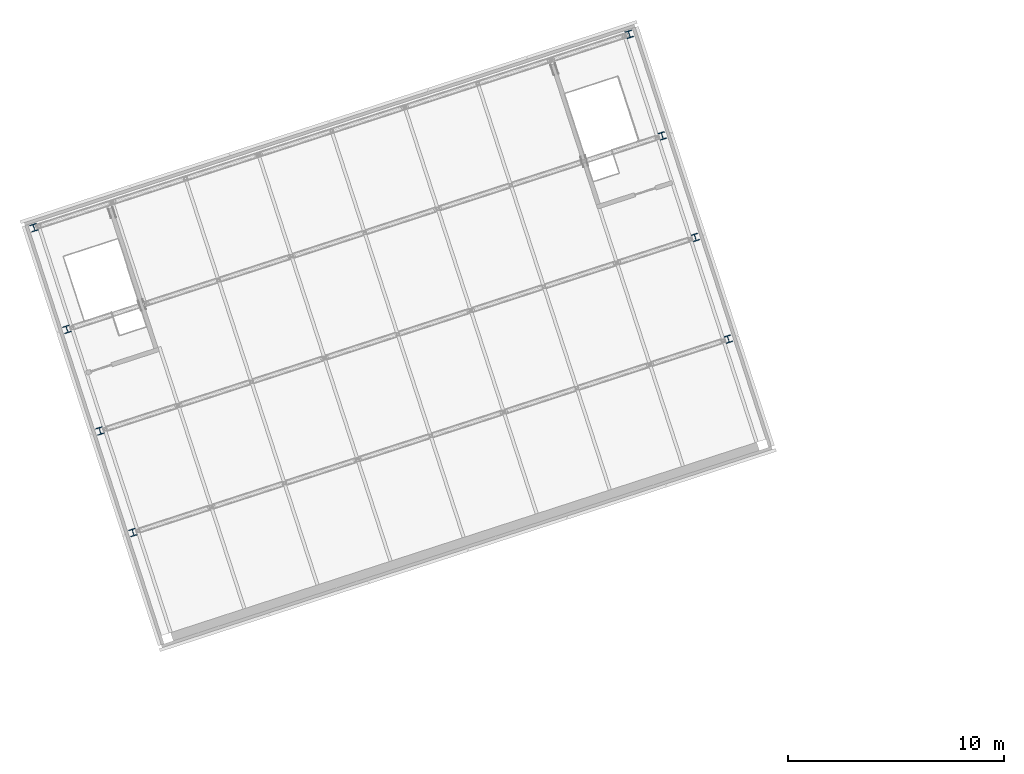
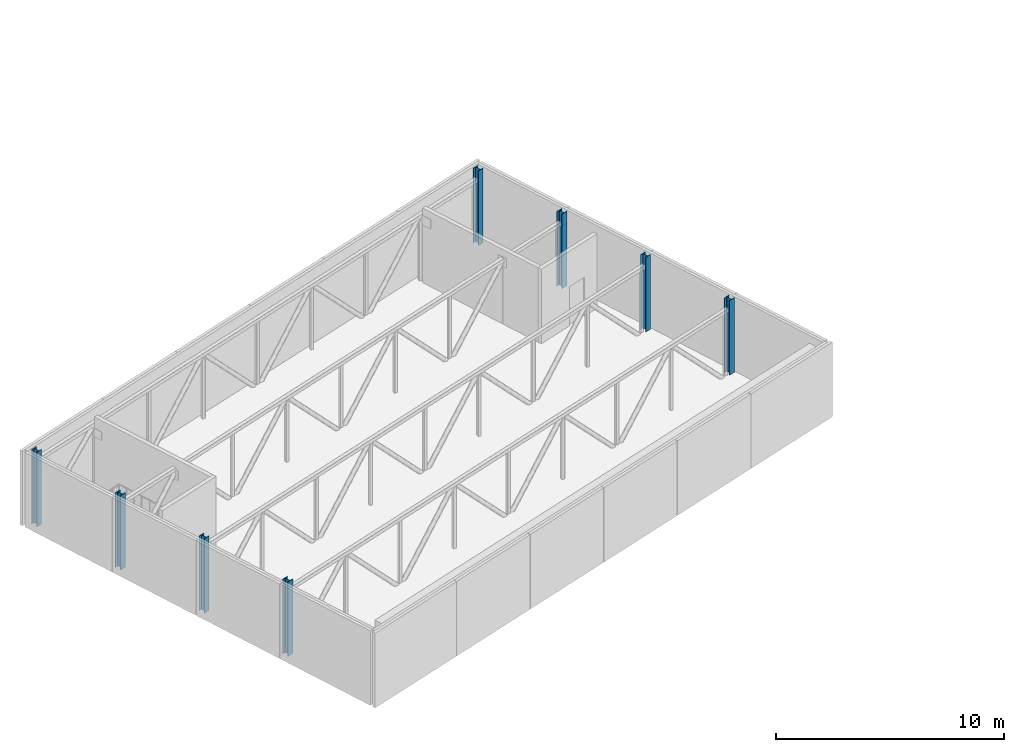
# One storey, part 1 of 52: 8 columns.
"""IFC4 building model written with IfcOpenShell, lengths in metres."""

from ifc_helpers import new_model, si_unit, direction, frame, origin, origin_2d, place, context, subcontext, project, spatial, i_section, extrude, material, material_profile, profile_set, type_object, element, save


model = new_model("IFC4")

# Units and contexts
model_context = context("Model", 3, precision=1e-05, world=origin(), true_north=direction((0.0, 1.0)))
body_context = subcontext(model_context, "Body", "Model", "MODEL_VIEW")
ifc_project = project(units=[si_unit("LENGTHUNIT", "METRE"), si_unit("AREAUNIT", "SQUARE_METRE"), si_unit("VOLUMEUNIT", "CUBIC_METRE"), si_unit("PLANEANGLEUNIT", "RADIAN"), si_unit("MASSUNIT", "GRAM", prefix="KILO")], contexts=[model_context])

# Site, building, storey
site_placement = place(None, origin())
site = spatial("IfcSite", under=ifc_project, at=site_placement, CompositionType="ELEMENT")
building_placement = place(site_placement, origin())
building = spatial("IfcBuilding", under=site, at=building_placement, Name="Tuart Plaza Theatre", CompositionType="ELEMENT")
storey_placement = place(building_placement, frame((0.0, 0.0, 25.5)))
storey = spatial("IfcBuildingStorey", under=building, at=storey_placement, Name="L06", CompositionType="ELEMENT", Elevation=25.5)

# Columns
ifc_material = material(Name="Steel Grade 300", Category="steel")
ifc_material_profile = material_profile(ifc_material, i_section(OverallWidth=0.31103515625, OverallDepth=0.326904296875, WebThickness=0.015625, FlangeThickness=0.02490234375, FilletRadius=0.0166015625, at=origin_2d()), Name="310UC158")
ifc_profile_set = profile_set([ifc_material_profile], Name="Steel Grade 300")
column_type = type_object("IfcColumnType", Name="COLUMN 310UC158", PredefinedType="COLUMN", material=ifc_profile_set)
for number, where, z_axis, x_axis, name in (
    (1, (39.756103515625, 73.527587890625, 0.0), (0.0, 0.0, 1.0), (0.951056516295, 0.309016994375, 0.0), "SC5"),
    (2, (67.336669921875, 82.489013671875, 0.0), (0.0, 0.0, 1.0), (0.951056516295, 0.309016994375, 0.0), "SC6"),
    (3, (38.2265625, 78.2353515625, 0.0), (0.0, 0.0, 1.0), (0.951056516295, 0.309016994375, 0.0), "SC7"),
    (4, (65.80712890625, 87.19677734375, 0.0), (0.0, 0.0, 1.0), (0.951056516295, 0.309016994375, 0.0), "SC8"),
    (5, (36.69677734375, 82.94287109375, 0.0), (0.0, 0.0, 1.0), (0.951056516295, 0.309016994375, 0.0), "SC9"),
    (6, (64.27734375, 91.904541015625, 0.0), (0.0, 0.0, 1.0), (0.951056516295, 0.309016994375, 0.0), "SC10"),
    (7, (35.167236328125, 87.650634765625, 0.0), (0.0, 0.0, 1.0), (0.951056516295, 0.309016994375, 0.0), "SC11"),
    (8, (62.747802734375, 96.6123046875, 0.0), (0.0, 0.0, 1.0), (0.951056516295, 0.309016994375, 0.0), "SC17"),
):
    element("IfcColumn", number, at=place(storey_placement, frame(where, z_axis=z_axis, x_axis=x_axis)), inside=storey, type_object=column_type, Name=name, PredefinedType="COLUMN", context=body_context, shape_type="SweptSolid", body=[
        extrude(i_section(OverallWidth=0.31103515625, OverallDepth=0.326904296875, WebThickness=0.015625, FlangeThickness=0.02490234375, FilletRadius=0.0166015625, at=origin_2d()), origin(), (0.0, 0.0, 1.0), 4.0),
    ])

save(model, "model.ifc")
